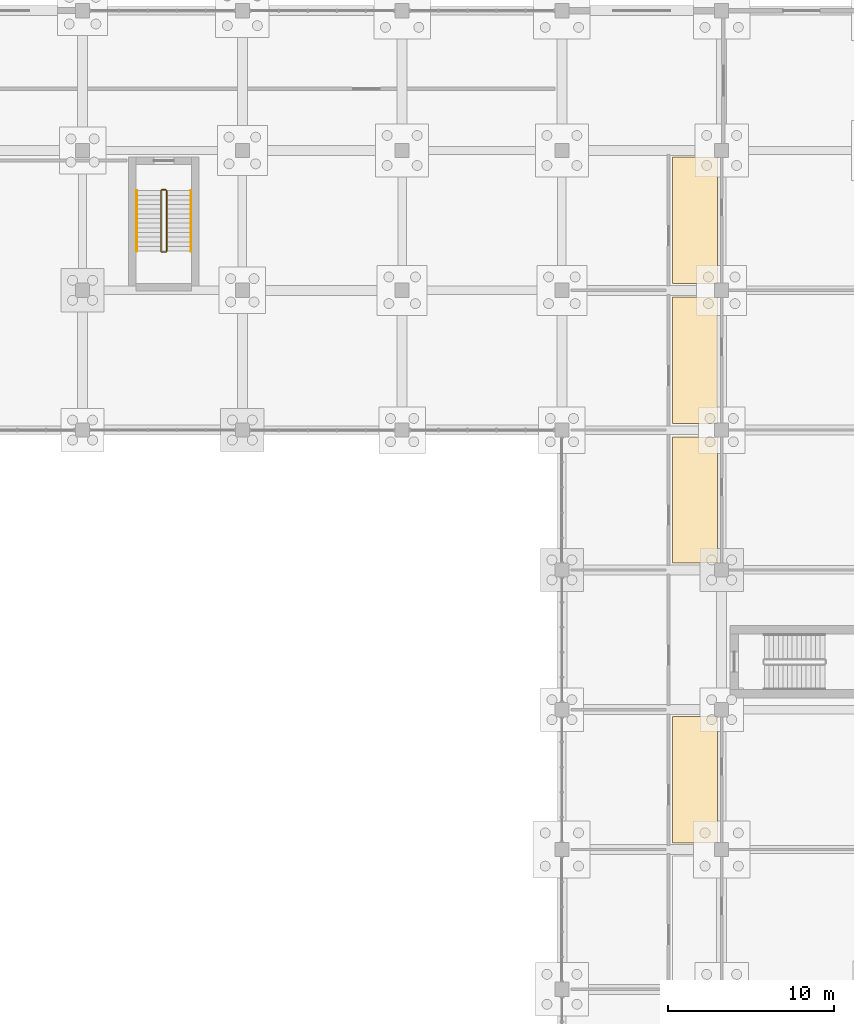
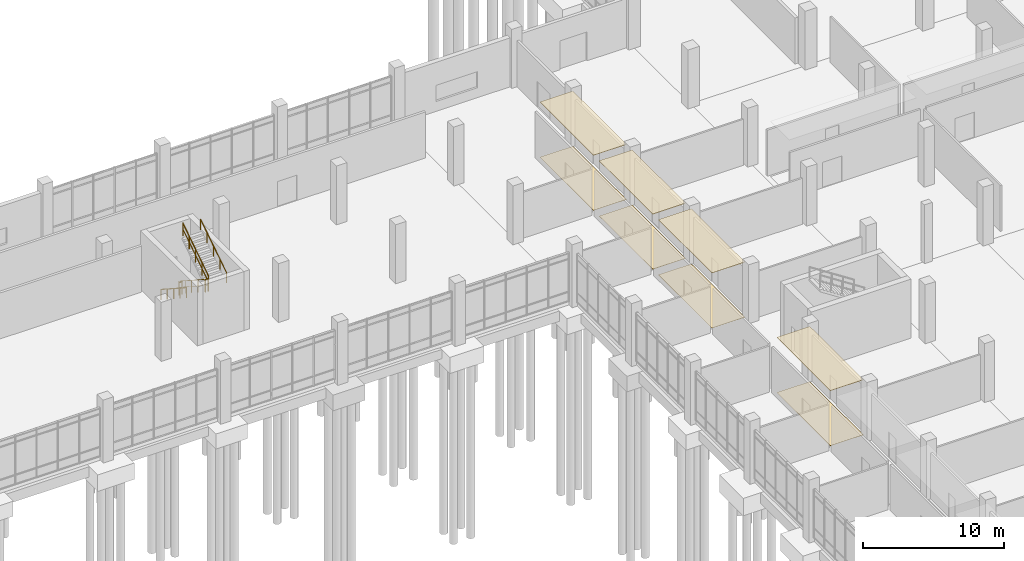
# One storey, part 128 of 136: 8 coverings, 6 railings.
"""IFC4 building model written with IfcOpenShell, lengths in metres."""

from ifc_helpers import new_model, si_unit, direction, frame, origin, origin_2d, place, context, subcontext, project, spatial, polyline, circle, outline, extrude, material, layer, layer_set, type_object, element, save


model = new_model("IFC4")

# Units and contexts
model_context = context("Model", 3, precision=1e-05, world=origin(), true_north=direction((0.0, 1.0)))
body_context = subcontext(model_context, "Body", "Model", "MODEL_VIEW")
ifc_project = project(units=[si_unit("LENGTHUNIT", "METRE"), si_unit("AREAUNIT", "SQUARE_METRE"), si_unit("VOLUMEUNIT", "CUBIC_METRE"), si_unit("PLANEANGLEUNIT", "RADIAN"), si_unit("MASSUNIT", "GRAM", prefix="KILO")], contexts=[model_context])

# Site, building, storey
site_placement = place(None, origin())
site = spatial("IfcSite", under=ifc_project, at=site_placement, CompositionType="ELEMENT")
building_placement = place(site_placement, origin())
building = spatial("IfcBuilding", under=site, at=building_placement, Name="Oolite Switchyard Hospital", CompositionType="ELEMENT")
storey_placement = place(building_placement, origin())
storey = spatial("IfcBuildingStorey", under=building, at=storey_placement, Name="L00", CompositionType="ELEMENT", Elevation=0.0)

# Coverings
ifc_material_1 = material(Name="Hygienic washable mineral-fibre acoustic ceiling")
ifc_layer_1 = layer(ifc_material_1, 0.0400390625)
ifc_layer_set_1 = layer_set([ifc_layer_1], Name="COV-CEIL-AC60")
covering_type_1 = type_object("IfcCoveringType", Name="COV-CEIL-AC60", PredefinedType="CEILING", material=ifc_layer_set_1)
covering_1_placement = place(storey_placement, frame((0.0, 0.0, 4.760009765625)))
element("IfcCovering", 1, at=covering_1_placement, inside=storey, type_object=covering_type_1, Name="L00 East Cloister Clinical and Exit Corridor L00 Ceiling 4", PredefinedType="CEILING", context=body_context, shape_type="SweptSolid", body=[
    extrude(outline(polyline([(121.85009765625, 59.199951171875), (124.550048828125, 59.199951171875), (124.550048828125, 66.800048828125), (121.85009765625, 66.800048828125), (121.85009765625, 59.199951171875)])), origin(), (0.0, 0.0, 1.0), 0.0400390625),
])
covering_2_placement = place(storey_placement, frame((0.0, 0.0, 4.760009765625)))
element("IfcCovering", 2, at=covering_2_placement, inside=storey, type_object=covering_type_1, Name="L00 East Cloister Clinical and Exit Corridor L00 Ceiling 6", PredefinedType="CEILING", context=body_context, shape_type="SweptSolid", body=[
    extrude(outline(polyline([(121.85009765625, 76.0), (124.550048828125, 76.0), (124.550048828125, 83.60009765625), (121.85009765625, 83.60009765625), (121.85009765625, 76.0)])), origin(), (0.0, 0.0, 1.0), 0.0400390625),
])
covering_3_placement = place(storey_placement, frame((0.0, 0.0, 4.760009765625)))
element("IfcCovering", 3, at=covering_3_placement, inside=storey, type_object=covering_type_1, Name="L00 East Cloister Clinical and Exit Corridor L00 Ceiling 7", PredefinedType="CEILING", context=body_context, shape_type="SweptSolid", body=[
    extrude(outline(polyline([(121.85009765625, 84.39990234375), (124.550048828125, 84.39990234375), (124.550048828125, 92.0), (121.85009765625, 92.0), (121.85009765625, 84.39990234375)])), origin(), (0.0, 0.0, 1.0), 0.0400390625),
])
covering_4_placement = place(storey_placement, frame((0.0, 0.0, 4.760009765625)))
element("IfcCovering", 4, at=covering_4_placement, inside=storey, type_object=covering_type_1, Name="L00 East Cloister Clinical and Exit Corridor L00 Ceiling 8", PredefinedType="CEILING", context=body_context, shape_type="SweptSolid", body=[
    extrude(outline(polyline([(121.85009765625, 92.800048828125), (124.550048828125, 92.800048828125), (124.550048828125, 100.39990234375), (121.85009765625, 100.39990234375), (121.85009765625, 92.800048828125)])), origin(), (0.0, 0.0, 1.0), 0.0400390625),
])
ifc_material_2 = material(Name="Epoxy terrazzo seamless clinical flooring")
ifc_layer_2 = layer(ifc_material_2, 0.02001953125)
ifc_layer_set_2 = layer_set([ifc_layer_2], Name="COV-FLR-TER20")
covering_type_2 = type_object("IfcCoveringType", Name="COV-FLR-TER20", PredefinedType="FLOORING", material=ifc_layer_set_2)
covering_5_placement = place(storey_placement, origin())
element("IfcCovering", 5, at=covering_5_placement, inside=storey, type_object=covering_type_2, Name="L00 East Cloister Clinical and Exit Corridor L00 Flooring 4", PredefinedType="FLOORING", context=body_context, shape_type="SweptSolid", body=[
    extrude(outline(polyline([(121.85009765625, 59.199951171875), (124.550048828125, 59.199951171875), (124.550048828125, 66.800048828125), (121.85009765625, 66.800048828125), (121.85009765625, 59.199951171875)])), origin(), (0.0, 0.0, 1.0), 0.02001953125),
])
covering_6_placement = place(storey_placement, origin())
element("IfcCovering", 6, at=covering_6_placement, inside=storey, type_object=covering_type_2, Name="L00 East Cloister Clinical and Exit Corridor L00 Flooring 6", PredefinedType="FLOORING", context=body_context, shape_type="SweptSolid", body=[
    extrude(outline(polyline([(121.85009765625, 76.0), (124.550048828125, 76.0), (124.550048828125, 83.60009765625), (121.85009765625, 83.60009765625), (121.85009765625, 76.0)])), origin(), (0.0, 0.0, 1.0), 0.02001953125),
])
covering_7_placement = place(storey_placement, origin())
element("IfcCovering", 7, at=covering_7_placement, inside=storey, type_object=covering_type_2, Name="L00 East Cloister Clinical and Exit Corridor L00 Flooring 7", PredefinedType="FLOORING", context=body_context, shape_type="SweptSolid", body=[
    extrude(outline(polyline([(121.85009765625, 84.39990234375), (124.550048828125, 84.39990234375), (124.550048828125, 92.0), (121.85009765625, 92.0), (121.85009765625, 84.39990234375)])), origin(), (0.0, 0.0, 1.0), 0.02001953125),
])
covering_8_placement = place(storey_placement, origin())
element("IfcCovering", 8, at=covering_8_placement, inside=storey, type_object=covering_type_2, Name="L00 East Cloister Clinical and Exit Corridor L00 Flooring 8", PredefinedType="FLOORING", context=body_context, shape_type="SweptSolid", body=[
    extrude(outline(polyline([(121.85009765625, 92.800048828125), (124.550048828125, 92.800048828125), (124.550048828125, 100.39990234375), (121.85009765625, 100.39990234375), (121.85009765625, 92.800048828125)])), origin(), (0.0, 0.0, 1.0), 0.02001953125),
])

# Railings
ifc_material_3 = material(Name="Galvanized painted architectural steel handrail", Category="steel")
railing_type_1 = type_object("IfcRailingType", Name="RL-STAIR-GRD", PredefinedType="GUARDRAIL", material=ifc_material_3)
railing_1_placement = place(storey_placement, frame((91.110107421875, 98.389892578125, 0.18212890625)))
element("IfcRailing", 9, at=railing_1_placement, inside=storey, type_object=railing_type_1, Name="L00 ST-09 stair guard 1", PredefinedType="GUARDRAIL", context=body_context, shape_type="SweptSolid", body=[
    extrude(circle(Radius=0.02392578125, at=origin_2d()), frame((0.0, 0.0, 1.076171875), z_axis=(0.0, -0.838234174257, 0.545310433706), x_axis=(1.0, 0.0, 0.0)), (0.0, 0.0, 1.0), 4.34228515625),
    extrude(circle(Radius=0.015625, at=origin_2d()), frame((0.0, 0.0, 0.550048828125), z_axis=(0.0, -0.838234174257, 0.545310433706), x_axis=(1.0, 0.0, 0.0)), (0.0, 0.0, 1.0), 4.34228515625),
    extrude(circle(Radius=0.02099609375, at=origin_2d()), origin(), (0.0, 0.0, 1.0), 1.052001953125),
    extrude(circle(Radius=0.02099609375, at=origin_2d()), frame((0.0, -0.909912109375, 0.592041015625)), (0.0, 0.0, 1.0), 1.052001953125),
    extrude(circle(Radius=0.02099609375, at=origin_2d()), frame((0.0, -1.81982421875, 1.18408203125)), (0.0, 0.0, 1.0), 1.052001953125),
    extrude(circle(Radius=0.02099609375, at=origin_2d()), frame((0.0, -2.72998046875, 1.77587890625)), (0.0, 0.0, 1.0), 1.052001953125),
    extrude(circle(Radius=0.02099609375, at=origin_2d()), frame((0.0, -3.639892578125, 2.367919921875)), (0.0, 0.0, 1.0), 1.052001953125),
])
railing_2_placement = place(storey_placement, frame((91.159912109375, 94.699951171875, 2.550048828125)))
element("IfcRailing", 10, at=railing_2_placement, inside=storey, type_object=railing_type_1, Name="L00 ST-09 stair guard 2", PredefinedType="GUARDRAIL", context=body_context, shape_type="SweptSolid", body=[
    extrude(circle(Radius=0.02392578125, at=origin_2d()), frame((0.0, 0.0, 1.076171875), z_axis=(1.0, 0.0, 0.0), x_axis=(0.0, 1.0, 0.0)), (0.0, 0.0, 1.0), 0.239990234375),
    extrude(circle(Radius=0.015625, at=origin_2d()), frame((0.0, 0.0, 0.550048828125), z_axis=(1.0, 0.0, 0.0), x_axis=(0.0, 1.0, 0.0)), (0.0, 0.0, 1.0), 0.239990234375),
    extrude(circle(Radius=0.02099609375, at=origin_2d()), origin(), (0.0, 0.0, 1.0), 1.052001953125),
    extrude(circle(Radius=0.02099609375, at=origin_2d()), frame((0.239990234375, 0.0, 0.0)), (0.0, 0.0, 1.0), 1.052001953125),
])
railing_3_placement = place(storey_placement, frame((91.449951171875, 94.75, 2.732177734375)))
element("IfcRailing", 11, at=railing_3_placement, inside=storey, type_object=railing_type_1, Name="L00 ST-09 stair guard 3", PredefinedType="GUARDRAIL", context=body_context, shape_type="SweptSolid", body=[
    extrude(circle(Radius=0.02392578125, at=origin_2d()), frame((0.0, 0.0, 1.076171875), z_axis=(0.0, 0.838234174257, 0.545310433706), x_axis=(-1.0, 0.0, 0.0)), (0.0, 0.0, 1.0), 4.34228515625),
    extrude(circle(Radius=0.015625, at=origin_2d()), frame((0.0, 0.0, 0.550048828125), z_axis=(0.0, 0.838234174257, 0.545310433706), x_axis=(-1.0, 0.0, 0.0)), (0.0, 0.0, 1.0), 4.34228515625),
    extrude(circle(Radius=0.02099609375, at=origin_2d()), origin(), (0.0, 0.0, 1.0), 1.052001953125),
    extrude(circle(Radius=0.02099609375, at=origin_2d()), frame((0.0, 0.909912109375, 0.592041015625)), (0.0, 0.0, 1.0), 1.052001953125),
    extrude(circle(Radius=0.02099609375, at=origin_2d()), frame((0.0, 1.81982421875, 1.18408203125)), (0.0, 0.0, 1.0), 1.052001953125),
    extrude(circle(Radius=0.02099609375, at=origin_2d()), frame((0.0, 2.72998046875, 1.77587890625)), (0.0, 0.0, 1.0), 1.052001953125),
    extrude(circle(Radius=0.02099609375, at=origin_2d()), frame((0.0, 3.639892578125, 2.367919921875)), (0.0, 0.0, 1.0), 1.052001953125),
])
railing_4_placement = place(storey_placement, frame((91.159912109375, 98.43994140625, 0.0)))
element("IfcRailing", 12, at=railing_4_placement, inside=storey, type_object=railing_type_1, Name="L00 ST-09 stair guard 4", PredefinedType="GUARDRAIL", context=body_context, shape_type="SweptSolid", body=[
    extrude(circle(Radius=0.02392578125, at=origin_2d()), frame((0.0, 0.0, 1.076171875), z_axis=(1.0, 0.0, 0.0), x_axis=(0.0, 1.0, 0.0)), (0.0, 0.0, 1.0), 0.239990234375),
    extrude(circle(Radius=0.015625, at=origin_2d()), frame((0.0, 0.0, 0.550048828125), z_axis=(1.0, 0.0, 0.0), x_axis=(0.0, 1.0, 0.0)), (0.0, 0.0, 1.0), 0.239990234375),
    extrude(circle(Radius=0.02099609375, at=origin_2d()), origin(), (0.0, 0.0, 1.0), 1.052001953125),
    extrude(circle(Radius=0.02099609375, at=origin_2d()), frame((0.239990234375, 0.0, 0.0)), (0.0, 0.0, 1.0), 1.052001953125),
])
railing_type_2 = type_object("IfcRailingType", Name="RL-STAIR-HND", PredefinedType="HANDRAIL", material=ifc_material_3)
railing_5_placement = place(storey_placement, frame((89.64990234375, 98.389892578125, 0.18212890625)))
element("IfcRailing", 13, at=railing_5_placement, inside=storey, type_object=railing_type_2, Name="L00 ST-09 stair handrail 1", PredefinedType="HANDRAIL", context=body_context, shape_type="SweptSolid", body=[
    extrude(circle(Radius=0.02392578125, at=origin_2d()), frame((0.0, 0.0, 0.8759765625), z_axis=(0.0, -0.838234174257, 0.545310433706), x_axis=(1.0, 0.0, 0.0)), (0.0, 0.0, 1.0), 4.34228515625),
    extrude(circle(Radius=0.02099609375, at=origin_2d()), origin(), (0.0, 0.0, 1.0), 0.851806640625),
    extrude(circle(Radius=0.02099609375, at=origin_2d()), frame((0.0, -0.909912109375, 0.592041015625)), (0.0, 0.0, 1.0), 0.851806640625),
    extrude(circle(Radius=0.02099609375, at=origin_2d()), frame((0.0, -1.81982421875, 1.18408203125)), (0.0, 0.0, 1.0), 0.851806640625),
    extrude(circle(Radius=0.02099609375, at=origin_2d()), frame((0.0, -2.72998046875, 1.77587890625)), (0.0, 0.0, 1.0), 0.851806640625),
    extrude(circle(Radius=0.02099609375, at=origin_2d()), frame((0.0, -3.639892578125, 2.367919921875)), (0.0, 0.0, 1.0), 0.851806640625),
])
railing_6_placement = place(storey_placement, frame((92.909912109375, 94.75, 2.732177734375)))
element("IfcRailing", 14, at=railing_6_placement, inside=storey, type_object=railing_type_2, Name="L00 ST-09 stair handrail 2", PredefinedType="HANDRAIL", context=body_context, shape_type="SweptSolid", body=[
    extrude(circle(Radius=0.02392578125, at=origin_2d()), frame((0.0, 0.0, 0.8759765625), z_axis=(0.0, 0.838234174257, 0.545310433706), x_axis=(-1.0, 0.0, 0.0)), (0.0, 0.0, 1.0), 4.34228515625),
    extrude(circle(Radius=0.02099609375, at=origin_2d()), origin(), (0.0, 0.0, 1.0), 0.851806640625),
    extrude(circle(Radius=0.02099609375, at=origin_2d()), frame((0.0, 0.909912109375, 0.592041015625)), (0.0, 0.0, 1.0), 0.851806640625),
    extrude(circle(Radius=0.02099609375, at=origin_2d()), frame((0.0, 1.81982421875, 1.18408203125)), (0.0, 0.0, 1.0), 0.851806640625),
    extrude(circle(Radius=0.02099609375, at=origin_2d()), frame((0.0, 2.72998046875, 1.77587890625)), (0.0, 0.0, 1.0), 0.851806640625),
    extrude(circle(Radius=0.02099609375, at=origin_2d()), frame((0.0, 3.639892578125, 2.367919921875)), (0.0, 0.0, 1.0), 0.851806640625),
])

save(model, "model.ifc")
